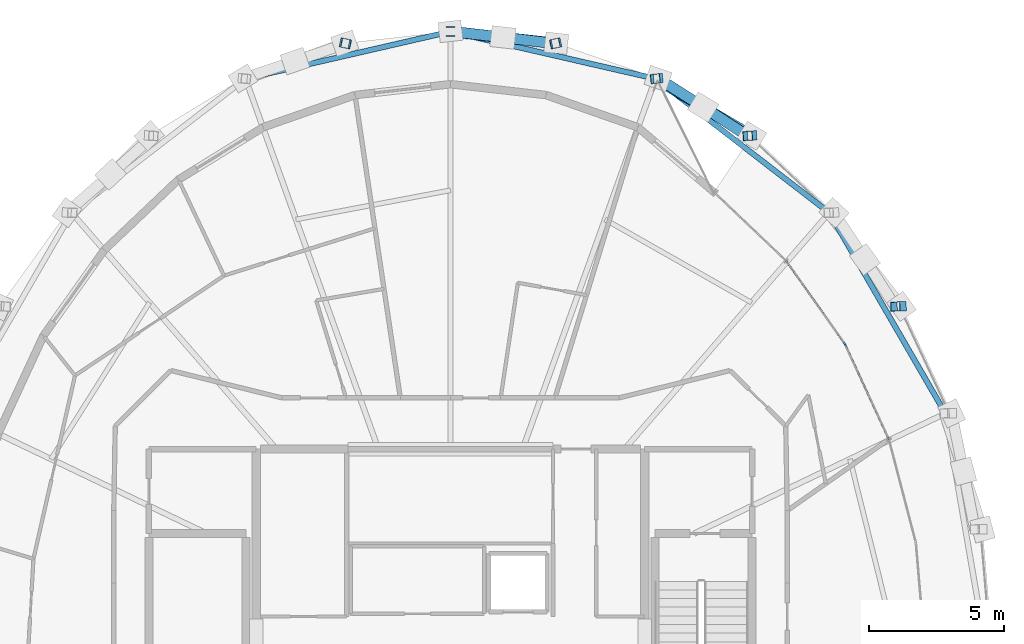
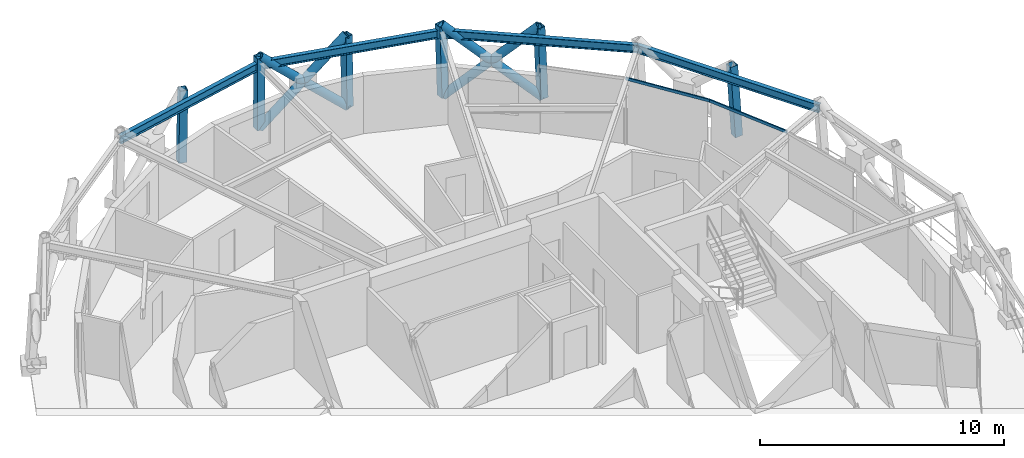
# One storey, part 9 of 17: 14 members, 4 beams, 1 element without a shape of its own.
"""IFC4 building model written with IfcOpenShell, lengths in metres."""

import ifcopenshell
import ifcopenshell.guid

model = None  # the IFC model being written
_history = None  # IfcOwnerHistory: only IFC2X3 demands one
_inside = {}  # id of a spatial element -> (the spatial element, [elements in it])
_under = {}  # id of a project, library or spatial element -> (it, [spatial elements below it])
_declared = {}  # id of a project -> (the project, [libraries it declares])
_typed = {}  # id of a type object -> (the type object, [elements of that type])
_made_of = {}  # id of a material, layer set ... -> (it, [elements and type objects made of it])


def new_model(schema):
    """Start an empty IFC model of exactly this schema.

    Asked for "IFC4X3", IfcOpenShell would pick the latest addendum, in which some entities
    have other attributes; the version numbers below select the first issue.
    IFC2X3 requires an IfcOwnerHistory on every rooted entity: one is made here for all.
    """
    global model, _history
    if schema == "IFC4X3":
        model = ifcopenshell.file(schema_version=(4, 3, 0, 0))
    else:
        model = ifcopenshell.file(schema=schema)
    _inside.clear()
    _under.clear()
    _declared.clear()
    _typed.clear()
    _made_of.clear()
    _history = None
    if model.schema == "IFC2X3":
        org = make("IfcOrganization", Name="unknown")
        user = make(
            "IfcPersonAndOrganization",
            ThePerson=make("IfcPerson", FamilyName="unknown"),
            TheOrganization=org,
        )
        app = make(
            "IfcApplication",
            ApplicationDeveloper=org,
            Version="unknown",
            ApplicationFullName="unknown",
            ApplicationIdentifier="unknown",
        )
        _history = make(
            "IfcOwnerHistory",
            OwningUser=user,
            OwningApplication=app,
            ChangeAction="ADDED",
            CreationDate=0,
        )
    return model


def make(cls, **values):
    """One entity of the class cls with the attributes given. An attribute that is None is left unset."""
    return model.create_entity(
        cls, **{name: value for name, value in values.items() if value is not None}
    )


def rooted(cls, **values):
    """An entity with a GlobalId (a new one), such as an element, a storey or a relation."""
    return make(cls, GlobalId=ifcopenshell.guid.new(), OwnerHistory=_history, **values)


def si_unit(unit_type, name, prefix=None):
    """IfcSIUnit, for example si_unit("LENGTHUNIT", "METRE", prefix="MILLI")."""
    return make("IfcSIUnit", UnitType=unit_type, Prefix=prefix, Name=name)


def assignment(units):
    """IfcUnitAssignment: the units of a project."""
    return None if units is None else make("IfcUnitAssignment", Units=units)


def point(xyz):
    """IfcCartesianPoint."""
    return None if xyz is None else make("IfcCartesianPoint", Coordinates=xyz)


def direction(xyz):
    """IfcDirection."""
    return None if xyz is None else make("IfcDirection", DirectionRatios=xyz)


def frame(location, z_axis=None, x_axis=None):
    """IfcAxis2Placement3D, a coordinate frame: its origin and axes. An axis left out is left unset."""
    return make(
        "IfcAxis2Placement3D",
        Location=point(location),
        Axis=direction(z_axis),
        RefDirection=direction(x_axis),
    )


def frame_2d(location, x_axis=None):
    """IfcAxis2Placement2D, a coordinate frame in the plane: its origin and x axis."""
    return make(
        "IfcAxis2Placement2D", Location=point(location), RefDirection=direction(x_axis)
    )


def origin():
    """The frame at (0, 0, 0) with its axes left unset."""
    return frame((0.0, 0.0, 0.0))


def origin_2d():
    """The frame at (0, 0) in the plane with its x axis left unset."""
    return frame_2d((0.0, 0.0))


def place(relative_to, where):
    """IfcLocalPlacement: puts the frame where relative to a parent placement (None: the world)."""
    return make(
        "IfcLocalPlacement", PlacementRelTo=relative_to, RelativePlacement=where
    )


def context(
    kind, dimensions, precision=None, world=None, true_north=None, identifier=None
):
    """IfcGeometricRepresentationContext, for example the 3D "Model" context."""
    return make(
        "IfcGeometricRepresentationContext",
        ContextIdentifier=identifier,
        ContextType=kind,
        CoordinateSpaceDimension=dimensions,
        Precision=precision,
        WorldCoordinateSystem=world,
        TrueNorth=true_north,
    )


def subcontext(parent, identifier, kind, view, scale=None):
    """IfcGeometricRepresentationSubContext, for example "Body" below "Model"."""
    return make(
        "IfcGeometricRepresentationSubContext",
        ContextIdentifier=identifier,
        ContextType=kind,
        ParentContext=parent,
        TargetScale=scale,
        TargetView=view,
    )


def project(units=None, contexts=None):
    """IfcProject with its units and contexts."""
    return rooted(
        "IfcProject",
        Name="project",
        RepresentationContexts=contexts,
        UnitsInContext=assignment(units),
    )


def spatial(cls, under=None, at=None, **own):
    """A site, building, storey or space (cls), placed at a placement, below another one or the project."""
    s = rooted(cls, ObjectPlacement=at, **own)
    if under is not None:
        _under.setdefault(under.id(), (under, []))[1].append(s)
    return s


def profile(cls, at=None, kind="AREA", **sizes):
    """A parametric profile (cls). Its sizes go by their IFC names, for example OverallWidth=200.0."""
    return make(cls, ProfileType=kind, Position=at, **sizes)


def hollow_rectangle(**sizes):
    """IfcRectangleHollowProfileDef."""
    return profile("IfcRectangleHollowProfileDef", **sizes)


def hollow_circle(**sizes):
    """IfcCircleHollowProfileDef."""
    return profile("IfcCircleHollowProfileDef", **sizes)


def i_section(**sizes):
    """IfcIShapeProfileDef."""
    return profile("IfcIShapeProfileDef", **sizes)


def extrude(swept, where, along, depth):
    """IfcExtrudedAreaSolid: the profile swept, set in the frame where, extruded along a direction by depth."""
    return make(
        "IfcExtrudedAreaSolid",
        SweptArea=swept,
        Position=where,
        ExtrudedDirection=direction(along),
        Depth=depth,
    )


def shape(context_of_items, identifier, shape_type, items):
    """IfcShapeRepresentation: the items that make up one representation, for example the "Body"."""
    return make(
        "IfcShapeRepresentation",
        ContextOfItems=context_of_items,
        RepresentationIdentifier=identifier,
        RepresentationType=shape_type,
        Items=items,
    )


def material(Name=None, Category=None):
    """IfcMaterial."""
    return make("IfcMaterial", Name=Name, Category=Category)


def layer(
    of_material, thickness, ventilated=None, Name=None, Category=None, Priority=None
):
    """IfcMaterialLayer: one layer of a wall or slab, of a material (None: an air gap)."""
    return make(
        "IfcMaterialLayer",
        Material=of_material,
        LayerThickness=thickness,
        IsVentilated=ventilated,
        Name=Name,
        Category=Category,
        Priority=Priority,
    )


def layer_set(layers, Name=None):
    """IfcMaterialLayerSet."""
    return make("IfcMaterialLayerSet", MaterialLayers=layers, LayerSetName=Name)


def material_profile(
    of_material, cross_section, Name=None, Category=None, Priority=None
):
    """IfcMaterialProfile: a cross section and its material."""
    return make(
        "IfcMaterialProfile",
        Name=Name,
        Material=of_material,
        Profile=cross_section,
        Priority=Priority,
        Category=Category,
    )


def profile_set(profiles, Name=None, composite=None):
    """IfcMaterialProfileSet."""
    return make(
        "IfcMaterialProfileSet",
        Name=Name,
        MaterialProfiles=profiles,
        CompositeProfile=composite,
    )


def made_of(thing, what):
    """Note that an element or type object is made of a material, layer set ...; save() writes the relation."""
    if what is not None:
        _made_of.setdefault(what.id(), (what, []))[1].append(thing)
    return thing


def type_object(cls, material=None, **own):
    """A type object (cls), such as IfcWallType, which elements share."""
    return made_of(rooted(cls, **own), material)


def element(
    cls,
    number,
    at=None,
    inside=None,
    cuts=None,
    type_object=None,
    material=None,
    context=None,
    identifier="Body",
    shape_type=None,
    held_by="IfcProductDefinitionShape",
    body=None,
    shapes=None,
    **own,
):
    """One element of the class cls, such as IfcWall. Its Tag is "e" and its number.

    at: its placement. inside: the storey or other place that contains it. cuts: it is an
    opening in that element (IfcRelVoidsElement). A single representation is given by context,
    identifier, shape_type and body (its items); several are given by shapes. held_by: the class
    of the entity that holds the representations. save() writes the other relations.
    """
    e = rooted(cls, Tag="e%d" % number, ObjectPlacement=at, **own)
    if body is not None:
        shapes = [shape(context, identifier, shape_type, body)]
    if shapes is not None:
        e.Representation = make(held_by, Representations=shapes)
    if inside is not None:
        _inside.setdefault(inside.id(), (inside, []))[1].append(e)
    if cuts is not None:
        rooted(
            "IfcRelVoidsElement", RelatingBuildingElement=cuts, RelatedOpeningElement=e
        )
    if type_object is not None:
        _typed.setdefault(type_object.id(), (type_object, []))[1].append(e)
    return made_of(e, material)


def aggregate(whole, parts):
    """IfcRelAggregates: a whole, such as a stair, and the parts it consists of."""
    return rooted("IfcRelAggregates", RelatingObject=whole, RelatedObjects=parts)


def save(model, path):
    """Write the relations noted so far, then the file.

    IfcRelAggregates (storeys below a building ...), IfcRelContainedInSpatialStructure (elements
    in a storey), IfcRelDefinesByType, IfcRelAssociatesMaterial and IfcRelDeclares: one each for
    every whole, place, type object, material and project.
    """
    for whole, parts in _under.values():
        aggregate(whole, parts)
    for where, things in _inside.values():
        rooted(
            "IfcRelContainedInSpatialStructure",
            RelatedElements=things,
            RelatingStructure=where,
        )
    for kind, things in _typed.values():
        rooted("IfcRelDefinesByType", RelatedObjects=things, RelatingType=kind)
    for what, things in _made_of.values():
        rooted("IfcRelAssociatesMaterial", RelatedObjects=things, RelatingMaterial=what)
    for by, libraries in _declared.values():
        rooted("IfcRelDeclares", RelatingContext=by, RelatedDefinitions=libraries)
    model.write(path)


model = new_model("IFC4")

# Units and contexts
model_context = context("Model", 3, precision=1e-05, world=origin(), true_north=direction((0.0, 1.0)))
body_context = subcontext(model_context, "Body", "Model", "MODEL_VIEW")
ifc_project = project(units=[si_unit("LENGTHUNIT", "METRE"), si_unit("AREAUNIT", "SQUARE_METRE"), si_unit("VOLUMEUNIT", "CUBIC_METRE"), si_unit("PLANEANGLEUNIT", "RADIAN"), si_unit("MASSUNIT", "GRAM", prefix="KILO")], contexts=[model_context])

# Site, building, storey
site_placement = place(None, origin())
site = spatial("IfcSite", under=ifc_project, at=site_placement, CompositionType="ELEMENT")
building_placement = place(site_placement, origin())
building = spatial("IfcBuilding", under=site, at=building_placement, Name="Veldorina Hangang Commons", CompositionType="ELEMENT")
storey_placement = place(building_placement, frame((0.0, 0.0, 286.800048828125)))
storey = spatial("IfcBuildingStorey", under=building, at=storey_placement, Name="L75", CompositionType="ELEMENT", Elevation=286.800048828125)

# Beams
ifc_material_1 = material(Name="Steel SM355-TMC", Category="steel")
ifc_material_profile_1 = material_profile(ifc_material_1, i_section(OverallWidth=0.199951171875, OverallDepth=0.39990234375, WebThickness=0.008056640625, FlangeThickness=0.012939453125, FilletRadius=0.012939453125, at=origin_2d()), Name="H-400x200x8x13")
ifc_profile_set_1 = profile_set([ifc_material_profile_1], Name="Steel SM355-TMC")
beam_type = type_object("IfcBeamType", Name="BM-RB400", PredefinedType="BEAM", material=ifc_profile_set_1)
beam_1_placement = place(storey_placement, frame((50.344482421875, 32.773193359375, 3.159912109375), z_axis=(-0.500873874956, 0.865520283637, 0.0), x_axis=(-0.865520283637, -0.500873874956, 0.0)))
element("IfcBeam", 1, at=beam_1_placement, inside=storey, type_object=beam_type, Name="L75 perimeter hoop ring beam 02", PredefinedType="BEAM", context=body_context, shape_type="SweptSolid", body=[
    extrude(i_section(OverallWidth=0.199951171875, OverallDepth=0.39990234375, WebThickness=0.008056640625, FlangeThickness=0.012939453125, FilletRadius=0.012939453125, at=origin_2d()), origin(), (0.0, 0.0, 1.0), 8.59326171875),
])
beam_2_placement = place(storey_placement, frame((46.040283203125, 40.2109375, 3.159912109375), z_axis=(-0.791755303075, 0.610838391109, 0.0), x_axis=(-0.610838391109, -0.791755303075, 0.0)))
element("IfcBeam", 2, at=beam_2_placement, inside=storey, type_object=beam_type, Name="L75 perimeter hoop ring beam 04", PredefinedType="BEAM", context=body_context, shape_type="SweptSolid", body=[
    extrude(i_section(OverallWidth=0.199951171875, OverallDepth=0.39990234375, WebThickness=0.008056640625, FlangeThickness=0.012939453125, FilletRadius=0.012939453125, at=origin_2d()), origin(), (0.0, 0.0, 1.0), 8.135986328125),
])
for number, where, z_axis, x_axis, name in (
    (3, (39.5986328125, 45.1806640625, 3.159912109375), (-0.974627097778, 0.223834805774, 0.0), (-0.223834805774, -0.974627097778, 0.0), "L75 perimeter hoop ring beam 06"),
    (4, (32.0, 46.92578125, 3.159912109375), (-0.974627097778, -0.223834805774, 0.0), (0.223834805774, -0.974627097778, 0.0), "L75 perimeter hoop ring beam 08"),
):
    element("IfcBeam", number, at=place(storey_placement, frame(where, z_axis=z_axis, x_axis=x_axis)), inside=storey, type_object=beam_type, Name=name, PredefinedType="BEAM", context=body_context, shape_type="SweptSolid", body=[
        extrude(i_section(OverallWidth=0.199951171875, OverallDepth=0.39990234375, WebThickness=0.008056640625, FlangeThickness=0.012939453125, FilletRadius=0.012939453125, at=origin_2d()), origin(), (0.0, 0.0, 1.0), 7.79638671875),
    ])

# Curtain wall, members
ifc_material_2 = material(Name="Glass Low-E Selective", Category="glass")
ifc_layer = layer(ifc_material_2, 0.179931640625)
ifc_layer_set = layer_set([ifc_layer], Name="Glass Low-E Selective")
curtain_wall_type = type_object("IfcCurtainWallType", Name="CW-SYS-Z3", PredefinedType="NOTDEFINED", material=ifc_layer_set)
curtain_wall_placement = place(storey_placement, origin())
curtain_wall = element("IfcCurtainWall", 5, at=curtain_wall_placement, inside=storey, type_object=curtain_wall_type, Name="L75 unitised curtain wall CW-L75-R1", PredefinedType="NOTDEFINED")
ifc_material_3 = material(Name="Aluminium Anodized AA6063-T6", Category="aluminium")
ifc_material_profile_2 = material_profile(ifc_material_3, hollow_rectangle(XDim=0.06005859375, YDim=0.139892578125, WallThickness=0.00341796875, at=origin_2d()), Name="ALU-RHS-140x60x3.5")
ifc_profile_set_2 = profile_set([ifc_material_profile_2], Name="Aluminium Anodized AA6063-T6")
member_type_1 = type_object("IfcMemberType", Name="CW-TRN-140", PredefinedType="USERDEFINED", material=ifc_profile_set_2)
member_1_placement = place(storey_placement, frame((48.247314453125, 31.81298828125, 3.280029296875), z_axis=(-0.418233297206, 0.908339644135, 0.0), x_axis=(-0.908339644135, -0.418233297206, 0.0)))
member_1 = element("IfcMember", 6, at=member_1_placement, type_object=member_type_1, Name="CW-L75-R1 facet 3 transom 1", ObjectType="TRANSOM", PredefinedType="USERDEFINED", context=body_context, shape_type="SweptSolid", body=[
    extrude(hollow_rectangle(XDim=0.06005859375, YDim=0.139892578125, WallThickness=0.00341796875, at=origin_2d()), origin(), (0.0, 0.0, 1.0), 3.885986328125),
])
member_2_placement = place(storey_placement, frame((46.6220703125, 35.3427734375, 3.280029296875), z_axis=(-0.57724470762, 0.816571213995, 0.0), x_axis=(-0.816571213995, -0.57724470762, 0.0)))
member_2 = element("IfcMember", 7, at=member_2_placement, type_object=member_type_1, Name="CW-L75-R1 facet 4 transom 1", ObjectType="TRANSOM", PredefinedType="USERDEFINED", context=body_context, shape_type="SweptSolid", body=[
    extrude(hollow_rectangle(XDim=0.06005859375, YDim=0.139892578125, WallThickness=0.00341796875, at=origin_2d()), origin(), (0.0, 0.0, 1.0), 3.788818359375),
])
aggregate(curtain_wall, [member_1, member_2])

# Members
ifc_material_profile_3 = material_profile(ifc_material_1, hollow_circle(Radius=0.199951171875, WallThickness=0.02001953125, at=origin_2d()), Name="CHS-400x20")
ifc_profile_set_3 = profile_set([ifc_material_profile_3], Name="Steel SM355-TMC")
member_type_2 = type_object("IfcMemberType", Name="DG-CHS400", PredefinedType="BRACE", material=ifc_profile_set_3)
member_3_placement = place(storey_placement, frame((43.170166015625, 43.07080078125, 0.0), z_axis=(-0.651743923987, 0.383305674717, 0.654451386488), x_axis=(-0.506948294386, -0.861976465351, 0.0)))
element("IfcMember", 8, at=member_3_placement, inside=storey, type_object=member_type_2, Name="L75 continuous perimeter diagrid brace 05", PredefinedType="BRACE", context=body_context, shape_type="SweptSolid", body=[
    extrude(hollow_circle(Radius=0.199951171875, WallThickness=0.02001953125, at=origin_2d()), origin(), (0.0, 0.0, 1.0), 5.50048828125),
])
member_4_placement = place(storey_placement, frame((39.694091796875, 45.1904296875, 0.0), z_axis=(0.623933794646, -0.394939720408, 0.674336145511), x_axis=(0.534841020209, 0.844952710572, 0.0)))
element("IfcMember", 9, at=member_4_placement, inside=storey, type_object=member_type_2, Name="L75 split perimeter diagrid lower brace 06", PredefinedType="BRACE", context=body_context, shape_type="SweptSolid", body=[
    extrude(hollow_circle(Radius=0.199951171875, WallThickness=0.02001953125, at=origin_2d()), origin(), (0.0, 0.0, 1.0), 2.68359375),
])
member_5_placement = place(storey_placement, frame((41.368408203125, 44.130615234375, 1.8095703125), z_axis=(0.619015282118, -0.40287018658, 0.674177790549), x_axis=(0.545473930346, 0.838127789369, 0.0)))
element("IfcMember", 10, at=member_5_placement, inside=storey, type_object=member_type_2, Name="L75 split perimeter diagrid upper brace 06", PredefinedType="BRACE", context=body_context, shape_type="SweptSolid", body=[
    extrude(hollow_circle(Radius=0.199951171875, WallThickness=0.02001953125, at=origin_2d()), origin(), (0.0, 0.0, 1.0), 2.655517578125),
])
member_6_placement = place(storey_placement, frame((35.922607421875, 46.49560546875, 0.0), z_axis=(-0.734390584784, 0.080263264261, 0.673964596542), x_axis=(-0.108645389964, -0.994080569793, 0.0)))
element("IfcMember", 11, at=member_6_placement, inside=storey, type_object=member_type_2, Name="L75 continuous perimeter diagrid brace 07", PredefinedType="BRACE", context=body_context, shape_type="SweptSolid", body=[
    extrude(hollow_circle(Radius=0.199951171875, WallThickness=0.02001953125, at=origin_2d()), origin(), (0.0, 0.0, 1.0), 5.34130859375),
])
member_7_placement = place(storey_placement, frame((32.0, 46.936279296875, 0.0), z_axis=(0.729379099406, -0.084211877968, 0.678906833784), x_axis=(0.114695009765, 0.993400752333, 0.0)))
element("IfcMember", 12, at=member_7_placement, inside=storey, type_object=member_type_2, Name="L75 split perimeter diagrid lower brace 08", PredefinedType="BRACE", context=body_context, shape_type="SweptSolid", body=[
    extrude(hollow_circle(Radius=0.199951171875, WallThickness=0.02001953125, at=origin_2d()), origin(), (0.0, 0.0, 1.0), 2.670166015625),
])
member_8_placement = place(storey_placement, frame((33.947509765625, 46.71142578125, 1.812744140625), z_axis=(0.729139345955, -0.086528492721, 0.678873061866), x_axis=(0.117845184051, 0.993031979644, 0.0)))
element("IfcMember", 13, at=member_8_placement, inside=storey, type_object=member_type_2, Name="L75 split perimeter diagrid upper brace 08", PredefinedType="BRACE", context=body_context, shape_type="SweptSolid", body=[
    extrude(hollow_circle(Radius=0.199951171875, WallThickness=0.02001953125, at=origin_2d()), origin(), (0.0, 0.0, 1.0), 2.632568359375),
])
ifc_material_profile_4 = material_profile(ifc_material_1, hollow_rectangle(XDim=0.35009765625, YDim=0.35009765625, WallThickness=0.01611328125, at=origin_2d()), Name="SHS-350x350x16")
ifc_profile_set_4 = profile_set([ifc_material_profile_4], Name="Steel SM355-TMC")
member_type_3 = type_object("IfcMemberType", Name="STR-SHS350", PredefinedType="STRUT", material=ifc_profile_set_4)
member_9_placement = place(storey_placement, frame((48.71728515625, 36.742919921875, 0.0), z_axis=(-0.065575624504, -0.001894858087, 0.99784580321), x_axis=(0.028883712899, -0.999582778528, 0.0)))
element("IfcMember", 14, at=member_9_placement, inside=storey, type_object=member_type_3, Name="L75 perimeter ring node post 03", PredefinedType="STRUT", context=body_context, shape_type="SweptSolid", body=[
    extrude(hollow_rectangle(XDim=0.35009765625, YDim=0.35009765625, WallThickness=0.01611328125, at=origin_2d()), origin(), (0.0, 0.0, 1.0), 3.607666015625),
])
member_10_placement = place(storey_placement, frame((43.170166015625, 43.07080078125, 0.0), z_axis=(-0.043836930479, -0.00277791986, 0.999034837574), x_axis=(0.063242543517, -0.997998186717, 0.0)))
element("IfcMember", 15, at=member_10_placement, inside=storey, type_object=member_type_3, Name="L75 perimeter ring node post 05", PredefinedType="STRUT", context=body_context, shape_type="SweptSolid", body=[
    extrude(hollow_rectangle(XDim=0.35009765625, YDim=0.35009765625, WallThickness=0.01611328125, at=origin_2d()), origin(), (0.0, 0.0, 1.0), 3.603271484375),
])
member_11_placement = place(storey_placement, frame((39.694091796875, 45.1904296875, 0.0), z_axis=(-0.030233567091, -0.003118260283, 0.999537997214), x_axis=(0.102594773028, -0.994723234145, 0.0)))
element("IfcMember", 16, at=member_11_placement, inside=storey, type_object=member_type_3, Name="L75 perimeter ring node post 06", PredefinedType="STRUT", context=body_context, shape_type="SweptSolid", body=[
    extrude(hollow_rectangle(XDim=0.35009765625, YDim=0.35009765625, WallThickness=0.01611328125, at=origin_2d()), origin(), (0.0, 0.0, 1.0), 3.6015625),
])
member_12_placement = place(storey_placement, frame((35.922607421875, 46.49560546875, 0.0), z_axis=(-0.015460935162, -0.003322744837, 0.999874951607), x_axis=(0.210114736821, -0.977676734596, 0.0)))
element("IfcMember", 17, at=member_12_placement, inside=storey, type_object=member_type_3, Name="L75 perimeter ring node post 07", PredefinedType="STRUT", context=body_context, shape_type="SweptSolid", body=[
    extrude(hollow_rectangle(XDim=0.35009765625, YDim=0.35009765625, WallThickness=0.01611328125, at=origin_2d()), origin(), (0.0, 0.0, 1.0), 3.600341796875),
])
member_13_placement = place(storey_placement, frame((32.0, 46.936279296875, 0.0), z_axis=(0.0, -0.003323142044, 0.999994478348), x_axis=(1.0, 0.0, 0.0)))
element("IfcMember", 18, at=member_13_placement, inside=storey, type_object=member_type_3, Name="L75 perimeter ring node post 08", PredefinedType="STRUT", context=body_context, shape_type="SweptSolid", body=[
    extrude(hollow_rectangle(XDim=0.35009765625, YDim=0.35009765625, WallThickness=0.01611328125, at=origin_2d()), origin(), (0.0, 0.0, 1.0), 3.599853515625),
])
member_14_placement = place(storey_placement, frame((28.077392578125, 46.49560546875, 0.0), z_axis=(0.015460935162, -0.003322744837, 0.999874951607), x_axis=(0.210114736821, 0.977676734596, 0.0)))
element("IfcMember", 19, at=member_14_placement, inside=storey, type_object=member_type_3, Name="L75 perimeter ring node post 09", PredefinedType="STRUT", context=body_context, shape_type="SweptSolid", body=[
    extrude(hollow_rectangle(XDim=0.35009765625, YDim=0.35009765625, WallThickness=0.01611328125, at=origin_2d()), origin(), (0.0, 0.0, 1.0), 3.600341796875),
])

save(model, "model.ifc")
